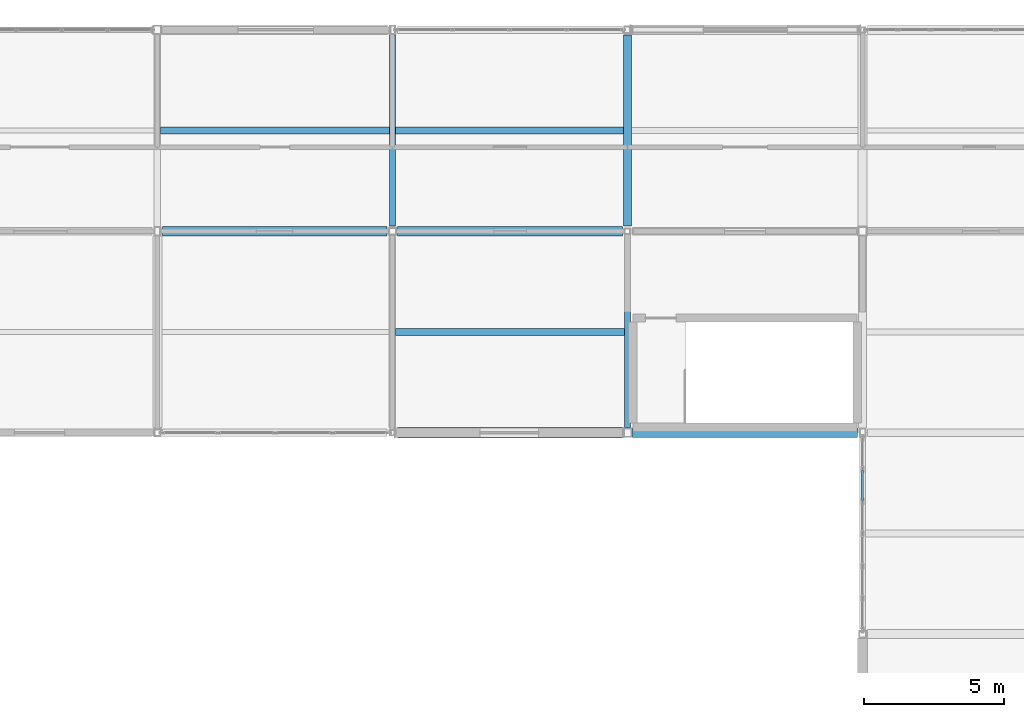
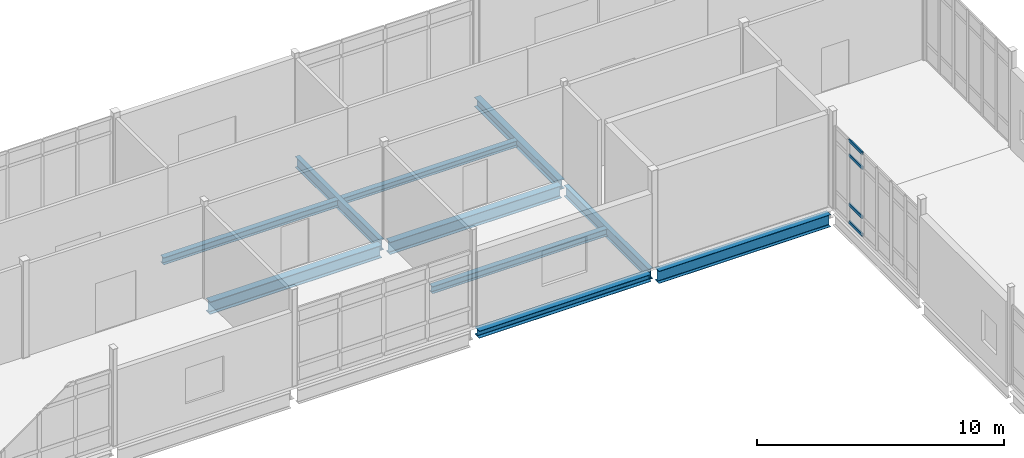
# One storey, part 64 of 153: 10 beams, 4 members, 1 element without a shape of its own.
"""IFC4 building model written with IfcOpenShell, lengths in metres."""

from ifc_helpers import new_model, si_unit, direction, frame, origin, origin_2d, place, context, subcontext, project, spatial, hollow_rectangle, i_section, extrude, material, layer, layer_set, material_profile, profile_set, type_object, element, aggregate, save


model = new_model("IFC4")

# Units and contexts
model_context = context("Model", 3, precision=1e-05, world=origin(), true_north=direction((0.0, 1.0)))
body_context = subcontext(model_context, "Body", "Model", "MODEL_VIEW")
ifc_project = project(units=[si_unit("LENGTHUNIT", "METRE"), si_unit("AREAUNIT", "SQUARE_METRE"), si_unit("VOLUMEUNIT", "CUBIC_METRE"), si_unit("PLANEANGLEUNIT", "RADIAN"), si_unit("MASSUNIT", "GRAM", prefix="KILO")], contexts=[model_context])

# Site, building, storey
site_placement = place(None, origin())
site = spatial("IfcSite", under=ifc_project, at=site_placement, CompositionType="ELEMENT")
building_placement = place(site_placement, origin())
building = spatial("IfcBuilding", under=site, at=building_placement, Name="Calvrana Isthmian Art Gallery", CompositionType="ELEMENT")
storey_placement = place(building_placement, frame((0.0, 0.0, 10.199951171875)))
storey = spatial("IfcBuildingStorey", under=building, at=storey_placement, Name="L02", CompositionType="ELEMENT", Elevation=10.199951171875)

# Beams
ifc_material_1 = material(Name="Steel ASTM A992 Gr 50", Category="steel")
ifc_material_profile_1 = material_profile(ifc_material_1, i_section(OverallWidth=0.279052734375, OverallDepth=0.4619140625, WebThickness=0.0107421875, FlangeThickness=0.017333984375, FilletRadius=0.02001953125, at=origin_2d()), Name="W18X76")
ifc_profile_set_1 = profile_set([ifc_material_profile_1], Name="Steel ASTM A992 Gr 50")
beam_type_1 = type_object("IfcBeamType", Name="BM-G-W18X76", PredefinedType="BEAM", material=ifc_profile_set_1)
beam_1_placement = place(storey_placement, frame((46.800048828125, 105.783935546875, -0.495849609375), z_axis=(0.0, 1.0, 0.0), x_axis=(-1.0, 0.0, 0.0)))
element("IfcBeam", 1, at=beam_1_placement, inside=storey, type_object=beam_type_1, Name="Girder Y L02 07/O-P", PredefinedType="BEAM", context=body_context, shape_type="SweptSolid", body=[
    extrude(i_section(OverallWidth=0.279052734375, OverallDepth=0.4619140625, WebThickness=0.0107421875, FlangeThickness=0.017333984375, FilletRadius=0.02001953125, at=origin_2d()), origin(), (0.0, 0.0, 1.0), 6.82958984375),
])
ifc_material_profile_2 = material_profile(ifc_material_1, i_section(OverallWidth=0.208984375, OverallDepth=0.532958984375, WebThickness=0.01025390625, FlangeThickness=0.015625, FilletRadius=0.02099609375, at=origin_2d()), Name="W21X62")
ifc_profile_set_2 = profile_set([ifc_material_profile_2], Name="Steel ASTM A992 Gr 50")
beam_type_2 = type_object("IfcBeamType", Name="BM-G-W21X62", PredefinedType="BEAM", material=ifc_profile_set_2)
beam_2_placement = place(storey_placement, frame((38.39990234375, 105.78662109375, -0.531494140625), z_axis=(0.0, 1.0, 0.0), x_axis=(-1.0, 0.0, 0.0)))
element("IfcBeam", 2, at=beam_2_placement, inside=storey, type_object=beam_type_2, Name="Girder Y L02 06/O-P", PredefinedType="BEAM", context=body_context, shape_type="SweptSolid", body=[
    extrude(i_section(OverallWidth=0.208984375, OverallDepth=0.532958984375, WebThickness=0.01025390625, FlangeThickness=0.015625, FilletRadius=0.02099609375, at=origin_2d()), origin(), (0.0, 0.0, 1.0), 6.83544921875),
])
beam_3_placement = place(storey_placement, frame((46.800048828125, 98.58154296875, -0.531494140625), z_axis=(0.0, 1.0, 0.0), x_axis=(-1.0, 0.0, 0.0)))
element("IfcBeam", 3, at=beam_3_placement, inside=storey, type_object=beam_type_2, Name="Girder Y L02 07/N-O", PredefinedType="BEAM", context=body_context, shape_type="SweptSolid", body=[
    extrude(i_section(OverallWidth=0.208984375, OverallDepth=0.532958984375, WebThickness=0.01025390625, FlangeThickness=0.015625, FilletRadius=0.02099609375, at=origin_2d()), origin(), (0.0, 0.0, 1.0), 6.83447265625),
])
ifc_material_profile_3 = material_profile(ifc_material_1, i_section(OverallWidth=0.324951171875, OverallDepth=0.612060546875, WebThickness=0.0126953125, FlangeThickness=0.01904296875, FilletRadius=0.02197265625, at=origin_2d()), Name="W24X104")
ifc_profile_set_3 = profile_set([ifc_material_profile_3], Name="Steel ASTM A992 Gr 50")
beam_type_3 = type_object("IfcBeamType", Name="BM-G-W24X104", PredefinedType="BEAM", material=ifc_profile_set_3)
beam_4_placement = place(storey_placement, frame((46.985595703125, 98.39990234375, -0.571044921875), z_axis=(1.0, 0.0, 0.0), x_axis=(0.0, 1.0, 0.0)))
element("IfcBeam", 4, at=beam_4_placement, inside=storey, type_object=beam_type_3, Name="Girder X L02 07-08/N", PredefinedType="BEAM", context=body_context, shape_type="SweptSolid", body=[
    extrude(i_section(OverallWidth=0.324951171875, OverallDepth=0.612060546875, WebThickness=0.0126953125, FlangeThickness=0.01904296875, FilletRadius=0.02197265625, at=origin_2d()), origin(), (0.0, 0.0, 1.0), 8.030517578125),
])
beam_5_placement = place(storey_placement, frame((38.58642578125, 105.60009765625, -0.571044921875), z_axis=(1.0, 0.0, 0.0), x_axis=(0.0, 1.0, 0.0)))
element("IfcBeam", 5, at=beam_5_placement, inside=storey, type_object=beam_type_3, Name="Girder X L02 06-07/O", PredefinedType="BEAM", context=body_context, shape_type="SweptSolid", body=[
    extrude(i_section(OverallWidth=0.324951171875, OverallDepth=0.612060546875, WebThickness=0.0126953125, FlangeThickness=0.01904296875, FilletRadius=0.02197265625, at=origin_2d()), origin(), (0.0, 0.0, 1.0), 8.027099609375),
])
ifc_material_profile_4 = material_profile(ifc_material_1, i_section(OverallWidth=0.327880859375, OverallDepth=0.6220703125, WebThickness=0.015380859375, FlangeThickness=0.0244140625, FilletRadius=0.02197265625, at=origin_2d()), Name="W24X131")
ifc_profile_set_4 = profile_set([ifc_material_profile_4], Name="Steel ASTM A992 Gr 50")
beam_type_4 = type_object("IfcBeamType", Name="BM-G-W24X131", PredefinedType="BEAM", material=ifc_profile_set_4)
beam_6_placement = place(storey_placement, frame((30.18408203125, 105.60009765625, -0.575927734375), z_axis=(1.0, 0.0, 0.0), x_axis=(0.0, 1.0, 0.0)))
element("IfcBeam", 6, at=beam_6_placement, inside=storey, type_object=beam_type_4, Name="Girder X L02 05-06/O", PredefinedType="BEAM", context=body_context, shape_type="SweptSolid", body=[
    extrude(i_section(OverallWidth=0.327880859375, OverallDepth=0.6220703125, WebThickness=0.015380859375, FlangeThickness=0.0244140625, FilletRadius=0.02197265625, at=origin_2d()), origin(), (0.0, 0.0, 1.0), 8.029296875),
])
ifc_material_profile_5 = material_profile(ifc_material_1, i_section(OverallWidth=0.25390625, OverallDepth=0.306884765625, WebThickness=0.0087890625, FlangeThickness=0.0146484375, FilletRadius=0.01611328125, at=origin_2d()), Name="W12X53")
ifc_profile_set_5 = profile_set([ifc_material_profile_5], Name="Steel ASTM A992 Gr 50")
beam_type_5 = type_object("IfcBeamType", Name="BM-J-W12X53", PredefinedType="JOIST", material=ifc_profile_set_5)
beam_7_placement = place(storey_placement, frame((38.50439453125, 109.199951171875, -0.41845703125), z_axis=(1.0, 0.0, 0.0), x_axis=(0.0, 1.0, 0.0)))
element("IfcBeam", 7, at=beam_7_placement, inside=storey, type_object=beam_type_5, Name="Composite joist L02 bay 05-14", PredefinedType="JOIST", context=body_context, shape_type="SweptSolid", body=[
    extrude(i_section(OverallWidth=0.25390625, OverallDepth=0.306884765625, WebThickness=0.0087890625, FlangeThickness=0.0146484375, FilletRadius=0.01611328125, at=origin_2d()), origin(), (0.0, 0.0, 1.0), 8.156005859375),
])
ifc_material_profile_6 = material_profile(ifc_material_1, i_section(OverallWidth=0.25390625, OverallDepth=0.35302734375, WebThickness=0.009521484375, FlangeThickness=0.016357421875, FilletRadius=0.01806640625, at=origin_2d()), Name="W14X61")
ifc_profile_set_6 = profile_set([ifc_material_profile_6], Name="Steel ASTM A992 Gr 50")
beam_type_6 = type_object("IfcBeamType", Name="BM-J-W14X61", PredefinedType="JOIST", material=ifc_profile_set_6)
beam_8_placement = place(storey_placement, frame((30.114013671875, 109.199951171875, -0.44140625), z_axis=(1.0, 0.0, 0.0), x_axis=(0.0, 1.0, 0.0)))
element("IfcBeam", 8, at=beam_8_placement, inside=storey, type_object=beam_type_6, Name="Composite joist L02 bay 04-14", PredefinedType="JOIST", context=body_context, shape_type="SweptSolid", body=[
    extrude(i_section(OverallWidth=0.25390625, OverallDepth=0.35302734375, WebThickness=0.009521484375, FlangeThickness=0.016357421875, FilletRadius=0.01806640625, at=origin_2d()), origin(), (0.0, 0.0, 1.0), 8.181396484375),
])
beam_9_placement = place(storey_placement, frame((38.513916015625, 102.0, -0.44140625), z_axis=(1.0, 0.0, 0.0), x_axis=(0.0, 1.0, 0.0)))
element("IfcBeam", 9, at=beam_9_placement, inside=storey, type_object=beam_type_6, Name="Composite joist L02 bay 05-13", PredefinedType="JOIST", context=body_context, shape_type="SweptSolid", body=[
    extrude(i_section(OverallWidth=0.25390625, OverallDepth=0.35302734375, WebThickness=0.009521484375, FlangeThickness=0.016357421875, FilletRadius=0.01806640625, at=origin_2d()), origin(), (0.0, 0.0, 1.0), 8.181640625),
])
ifc_material_profile_7 = material_profile(ifc_material_1, i_section(OverallWidth=0.367919921875, OverallDepth=0.35595703125, WebThickness=0.01123046875, FlangeThickness=0.01806640625, FilletRadius=0.02490234375, at=origin_2d()), Name="W14X90")
ifc_profile_set_7 = profile_set([ifc_material_profile_7], Name="Steel ASTM A992 Gr 50")
beam_type_7 = type_object("IfcBeamType", Name="BM-SP-W14X90", PredefinedType="SPANDREL", material=ifc_profile_set_7)
beam_10_placement = place(storey_placement, frame((38.58642578125, 98.39990234375, -0.44287109375), z_axis=(1.0, 0.0, 0.0), x_axis=(0.0, 1.0, 0.0)))
element("IfcBeam", 10, at=beam_10_placement, inside=storey, type_object=beam_type_7, Name="Girder X L02 06-07/N", PredefinedType="SPANDREL", context=body_context, shape_type="SweptSolid", body=[
    extrude(i_section(OverallWidth=0.367919921875, OverallDepth=0.35595703125, WebThickness=0.01123046875, FlangeThickness=0.01806640625, FilletRadius=0.02490234375, at=origin_2d()), origin(), (0.0, 0.0, 1.0), 8.028076171875),
])

# Curtain wall, members
ifc_material_2 = material(Name="Anodized bronze aluminium 6063-T6", Category="aluminium")
ifc_layer = layer(ifc_material_2, 0.179931640625, Name="Anodized bronze aluminium 6063-T6")
ifc_layer_set = layer_set([ifc_layer], Name="Anodized bronze aluminium 6063-T6")
curtain_wall_type = type_object("IfcCurtainWallType", Name="CW-UNIT-069X41", PredefinedType="USERDEFINED", material=ifc_layer_set)
curtain_wall_placement = place(storey_placement, origin())
curtain_wall = element("IfcCurtainWall", 11, at=curtain_wall_placement, inside=storey, type_object=curtain_wall_type, Name="Curtain wall CW-172", ObjectType="UNITISED CURTAIN WALL", PredefinedType="USERDEFINED")
ifc_material_profile_8 = material_profile(ifc_material_2, hollow_rectangle(XDim=0.06494140625, YDim=0.14990234375, WallThickness=0.00390625, at=origin_2d()), Name="CWT65X150")
ifc_profile_set_8 = profile_set([ifc_material_profile_8], Name="Anodized bronze aluminium 6063-T6")
member_type = type_object("IfcMemberType", Name="CWT-CWT65X150", PredefinedType="USERDEFINED", material=ifc_profile_set_8)
member_1_placement = place(storey_placement, frame((55.199951171875, 95.978271484375, 0.032470703125), z_axis=(0.0, 1.0, 0.0), x_axis=(-1.0, 0.0, 0.0)))
member_1 = element("IfcMember", 12, at=member_1_placement, type_object=member_type, Name="CW-172 transom 5.1", ObjectType="TRANSOM", PredefinedType="USERDEFINED", context=body_context, shape_type="SweptSolid", body=[
    extrude(hollow_rectangle(XDim=0.06494140625, YDim=0.14990234375, WallThickness=0.00390625, at=origin_2d()), origin(), (0.0, 0.0, 1.0), 1.078369140625),
])
member_2_placement = place(storey_placement, frame((55.199951171875, 95.978271484375, 0.900146484375), z_axis=(0.0, 1.0, 0.0), x_axis=(-1.0, 0.0, 0.0)))
member_2 = element("IfcMember", 13, at=member_2_placement, type_object=member_type, Name="CW-172 transom 5.2", ObjectType="TRANSOM", PredefinedType="USERDEFINED", context=body_context, shape_type="SweptSolid", body=[
    extrude(hollow_rectangle(XDim=0.06494140625, YDim=0.14990234375, WallThickness=0.00390625, at=origin_2d()), origin(), (0.0, 0.0, 1.0), 1.078369140625),
])
member_3_placement = place(storey_placement, frame((55.199951171875, 95.978271484375, 3.328125), z_axis=(0.0, 1.0, 0.0), x_axis=(-1.0, 0.0, 0.0)))
member_3 = element("IfcMember", 14, at=member_3_placement, type_object=member_type, Name="CW-172 transom 5.3", ObjectType="TRANSOM", PredefinedType="USERDEFINED", context=body_context, shape_type="SweptSolid", body=[
    extrude(hollow_rectangle(XDim=0.06494140625, YDim=0.14990234375, WallThickness=0.00390625, at=origin_2d()), origin(), (0.0, 0.0, 1.0), 1.078369140625),
])
member_4_placement = place(storey_placement, frame((55.199951171875, 95.978271484375, 4.045654296875), z_axis=(0.0, 1.0, 0.0), x_axis=(-1.0, 0.0, 0.0)))
member_4 = element("IfcMember", 15, at=member_4_placement, type_object=member_type, Name="CW-172 transom 5.4", ObjectType="TRANSOM", PredefinedType="USERDEFINED", context=body_context, shape_type="SweptSolid", body=[
    extrude(hollow_rectangle(XDim=0.06494140625, YDim=0.14990234375, WallThickness=0.00390625, at=origin_2d()), origin(), (0.0, 0.0, 1.0), 1.078369140625),
])
aggregate(curtain_wall, [member_1, member_2, member_3, member_4])

save(model, "model.ifc")
